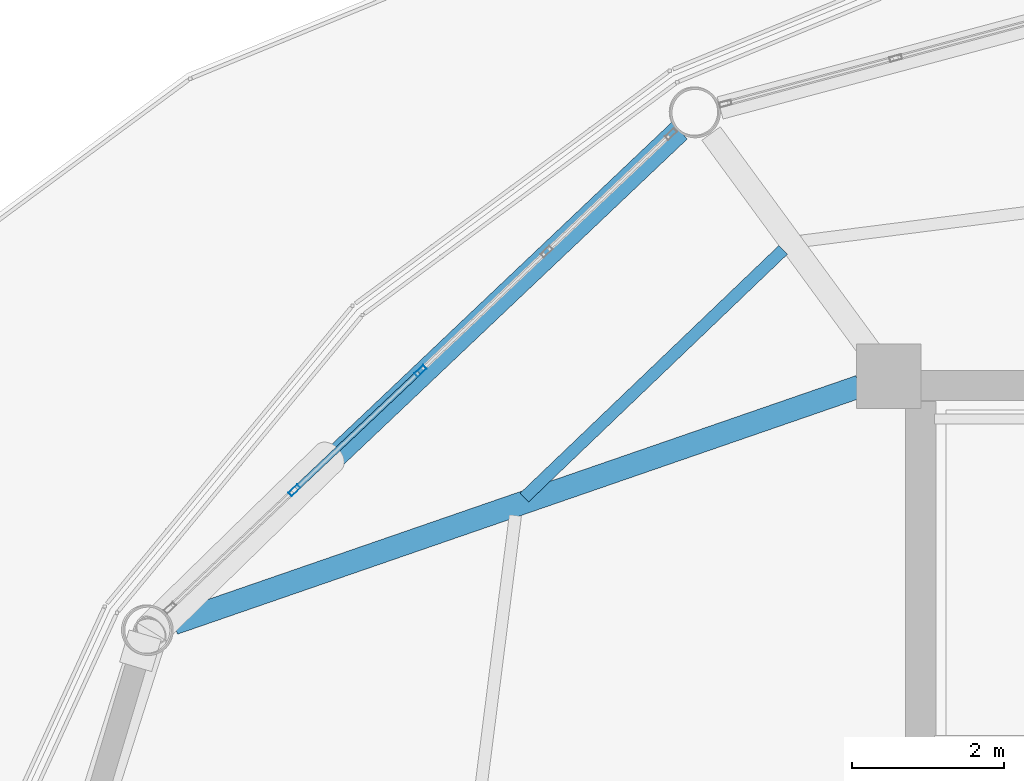
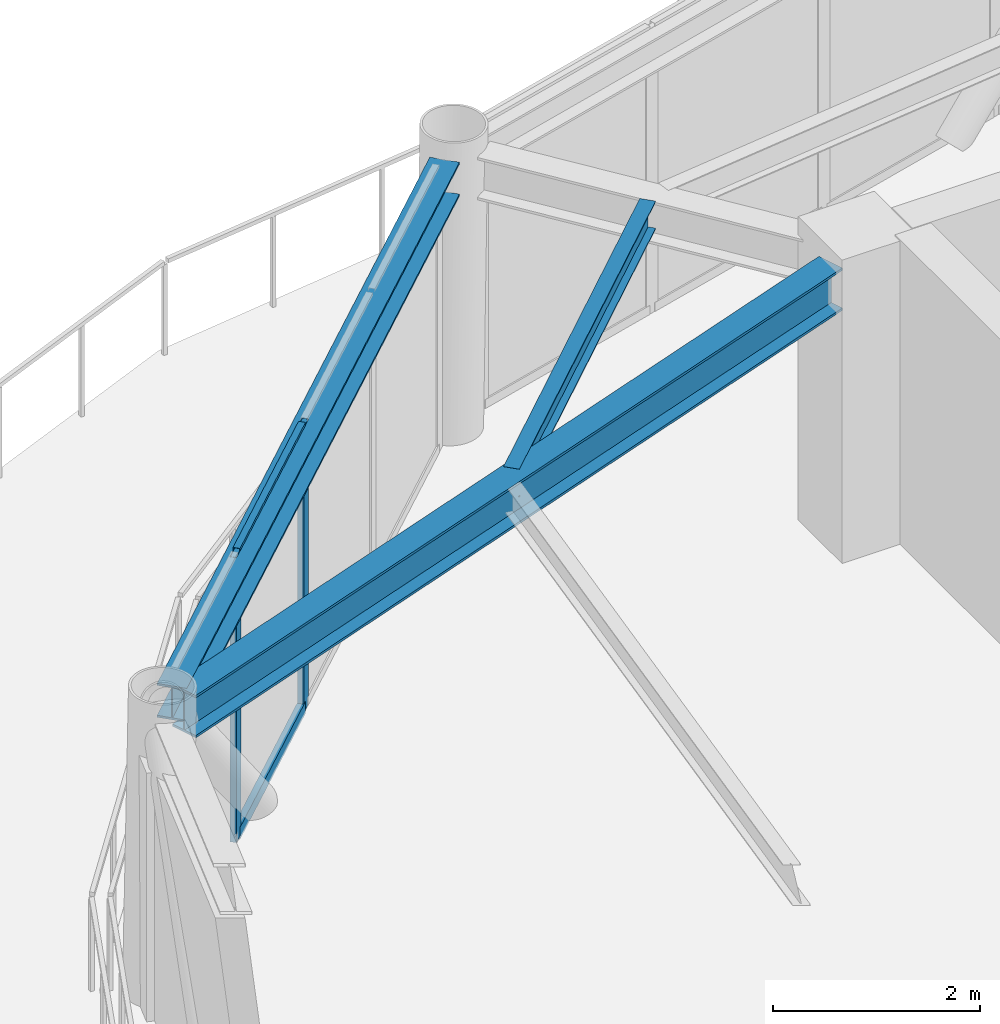
# One storey, part 7 of 25: 4 members, 3 beams, 1 element without a shape of its own.
"""IFC4 building model written with IfcOpenShell, lengths in metres."""

from ifc_helpers import new_model, si_unit, direction, frame, origin, origin_2d, place, context, subcontext, project, spatial, hollow_rectangle, i_section, extrude, material, layer, layer_set, material_profile, profile_set, type_object, element, aggregate, save


model = new_model("IFC4")

# Units and contexts
model_context = context("Model", 3, precision=1e-05, world=origin(), true_north=direction((0.0, 1.0)))
body_context = subcontext(model_context, "Body", "Model", "MODEL_VIEW")
ifc_project = project(units=[si_unit("LENGTHUNIT", "METRE"), si_unit("AREAUNIT", "SQUARE_METRE"), si_unit("VOLUMEUNIT", "CUBIC_METRE"), si_unit("PLANEANGLEUNIT", "RADIAN"), si_unit("MASSUNIT", "GRAM", prefix="KILO")], contexts=[model_context])

# Site, building, storey
site_placement = place(None, origin())
site = spatial("IfcSite", under=ifc_project, at=site_placement, CompositionType="ELEMENT")
building_placement = place(site_placement, origin())
building = spatial("IfcBuilding", under=site, at=building_placement, Name="Varnakorn Sky Granary", CompositionType="ELEMENT")
storey_placement = place(building_placement, frame((0.0, 0.0, 178.800048828125)))
storey = spatial("IfcBuildingStorey", under=building, at=storey_placement, Name="L44", CompositionType="ELEMENT", Elevation=178.800048828125)

# Beams
ifc_material_1 = material(Name="Steel S355JR", Category="steel")
ifc_material_profile_1 = material_profile(ifc_material_1, i_section(OverallWidth=0.300048828125, OverallDepth=0.5, WebThickness=0.014404296875, FlangeThickness=0.028076171875, at=origin_2d()), Name="HE 500 B")
ifc_profile_set_1 = profile_set([ifc_material_profile_1], Name="Steel S355JR")
beam_type_1 = type_object("IfcBeamType", Name="BM-RAD-Z4", PredefinedType="BEAM", material=ifc_profile_set_1)
beam_1_placement = place(storey_placement, frame((-2.802734375, 12.48779296875, 3.10986328125), z_axis=(-0.945188767731, -0.326524414637, 0.0), x_axis=(0.326524414637, -0.945188767731, 0.0)))
element("IfcBeam", 1, at=beam_1_placement, inside=storey, type_object=beam_type_1, Name="Radial Floor Girder RG06 L44", PredefinedType="BEAM", context=body_context, shape_type="SweptSolid", body=[
    extrude(i_section(OverallWidth=0.300048828125, OverallDepth=0.5, WebThickness=0.014404296875, FlangeThickness=0.028076171875, at=origin_2d()), origin(), (0.0, 0.0, 1.0), 9.528564453125),
])
ifc_material_profile_2 = material_profile(ifc_material_1, i_section(OverallWidth=0.159912109375, OverallDepth=0.330078125, WebThickness=0.007568359375, FlangeThickness=0.011474609375, at=origin_2d()), Name="IPE 330")
ifc_profile_set_2 = profile_set([ifc_material_profile_2], Name="Steel S355JR")
beam_type_2 = type_object("IfcBeamType", Name="BM-SEC-Z4", PredefinedType="BEAM", material=ifc_profile_set_2)
beam_2_placement = place(storey_placement, frame((-3.8076171875, 14.280517578125, 3.195068359375), z_axis=(-0.722408425456, -0.691466605724, 0.0), x_axis=(0.691466605724, -0.722408425456, 0.0)))
element("IfcBeam", 2, at=beam_2_placement, inside=storey, type_object=beam_type_2, Name="Secondary Floor Chord Beam MSB05 L44", PredefinedType="BEAM", context=body_context, shape_type="SweptSolid", body=[
    extrude(i_section(OverallWidth=0.159912109375, OverallDepth=0.330078125, WebThickness=0.007568359375, FlangeThickness=0.011474609375, at=origin_2d()), origin(), (0.0, 0.0, 1.0), 4.70263671875),
])
ifc_material_profile_3 = material_profile(ifc_material_1, i_section(OverallWidth=0.300048828125, OverallDepth=0.39990234375, WebThickness=0.013427734375, FlangeThickness=0.02392578125, at=origin_2d()), Name="HE 400 B")
ifc_profile_set_3 = profile_set([ifc_material_profile_3], Name="Steel S355JR")
beam_type_3 = type_object("IfcBeamType", Name="BM-SPD-Z4", PredefinedType="SPANDREL", material=ifc_profile_set_3)
beam_3_placement = place(storey_placement, frame((-5.168701171875, 15.845703125, 3.159912109375), z_axis=(-0.725986697068, -0.687708743351, 0.0), x_axis=(0.687708743351, -0.725986697068, 0.0)))
element("IfcBeam", 3, at=beam_3_placement, inside=storey, type_object=beam_type_3, Name="Perimeter Spandrel Ring Beam RB05 L44", PredefinedType="SPANDREL", context=body_context, shape_type="SweptSolid", body=[
    extrude(i_section(OverallWidth=0.300048828125, OverallDepth=0.39990234375, WebThickness=0.013427734375, FlangeThickness=0.02392578125, at=origin_2d()), origin(), (0.0, 0.0, 1.0), 9.241943359375),
])

# Curtain wall, members
ifc_material_2 = material(Name="Anodised Bronze Aluminium Alloy 6063-T6", Category="aluminium")
ifc_layer = layer(ifc_material_2, 0.169921875, Name="Anodised Bronze Aluminium Alloy 6063-T6")
ifc_layer_set = layer_set([ifc_layer], Name="Anodised Bronze Aluminium Alloy 6063-T6")
curtain_wall_type = type_object("IfcCurtainWallType", Name="CW-LAB-1", PredefinedType="USERDEFINED", material=ifc_layer_set)
curtain_wall_placement = place(storey_placement, origin())
curtain_wall = element("IfcCurtainWall", 4, at=curtain_wall_placement, inside=storey, type_object=curtain_wall_type, Name="Unitised Curtain Wall CW5 CW-L44-B05", ObjectType="CURTAIN WALL", PredefinedType="USERDEFINED")
ifc_material_profile_4 = material_profile(ifc_material_2, hollow_rectangle(XDim=0.06494140625, YDim=0.159912109375, WallThickness=0.00341796875, at=origin_2d()), Name="ALU MULL 65x160")
ifc_profile_set_4 = profile_set([ifc_material_profile_4], Name="Anodised Bronze Aluminium Alloy 6063-T6")
member_type_1 = type_object("IfcMemberType", Name="CW-LAB-1-MULL", PredefinedType="MULLION", material=ifc_profile_set_4)
member_1_placement = place(storey_placement, frame((-10.225341796875, 11.124755859375, 0.0), z_axis=(0.0, 0.0, 1.0), x_axis=(-0.687123508986, 0.726540627494, 0.0)))
member_1 = element("IfcMember", 5, at=member_1_placement, type_object=member_type_1, Name="CW5 mullion 2", PredefinedType="MULLION", context=body_context, shape_type="SweptSolid", body=[
    extrude(hollow_rectangle(XDim=0.06494140625, YDim=0.159912109375, WallThickness=0.00341796875, at=origin_2d()), origin(), (0.0, 0.0, 1.0), 3.35986328125),
])
member_2_placement = place(storey_placement, frame((-8.569091796875, 12.691162109375, 0.0), z_axis=(0.0, 0.0, 1.0), x_axis=(-0.687123508986, 0.726540627494, 0.0)))
member_2 = element("IfcMember", 6, at=member_2_placement, type_object=member_type_1, Name="CW5 mullion 3", PredefinedType="MULLION", context=body_context, shape_type="SweptSolid", body=[
    extrude(hollow_rectangle(XDim=0.06494140625, YDim=0.159912109375, WallThickness=0.00341796875, at=origin_2d()), origin(), (0.0, 0.0, 1.0), 3.35986328125),
])
ifc_material_profile_5 = material_profile(ifc_material_2, hollow_rectangle(XDim=0.070068359375, YDim=0.139892578125, WallThickness=0.00341796875, at=origin_2d()), Name="ALU TRAN 70x140")
ifc_profile_set_5 = profile_set([ifc_material_profile_5], Name="Anodised Bronze Aluminium Alloy 6063-T6")
member_type_2 = type_object("IfcMemberType", Name="CW-LAB-1-TRAN", PredefinedType="USERDEFINED", material=ifc_profile_set_5)
member_3_placement = place(storey_placement, frame((-10.20166015625, 11.147216796875, 0.034912109375), z_axis=(0.726566591573, 0.687096054428, 0.0), x_axis=(-0.687096054428, 0.726566591573, 0.0)))
member_3 = element("IfcMember", 7, at=member_3_placement, type_object=member_type_2, Name="CW5 transom 2.1", ObjectType="TRANSOM", PredefinedType="USERDEFINED", context=body_context, shape_type="SweptSolid", body=[
    extrude(hollow_rectangle(XDim=0.070068359375, YDim=0.139892578125, WallThickness=0.00341796875, at=origin_2d()), origin(), (0.0, 0.0, 1.0), 2.21435546875),
])
member_4_placement = place(storey_placement, frame((-10.20166015625, 11.147216796875, 3.324951171875), z_axis=(0.726566591573, 0.687096054428, 0.0), x_axis=(-0.687096054428, 0.726566591573, 0.0)))
member_4 = element("IfcMember", 8, at=member_4_placement, type_object=member_type_2, Name="CW5 transom 2.2", ObjectType="TRANSOM", PredefinedType="USERDEFINED", context=body_context, shape_type="SweptSolid", body=[
    extrude(hollow_rectangle(XDim=0.070068359375, YDim=0.139892578125, WallThickness=0.00341796875, at=origin_2d()), origin(), (0.0, 0.0, 1.0), 2.21435546875),
])
aggregate(curtain_wall, [member_1, member_2, member_3, member_4])

save(model, "model.ifc")
